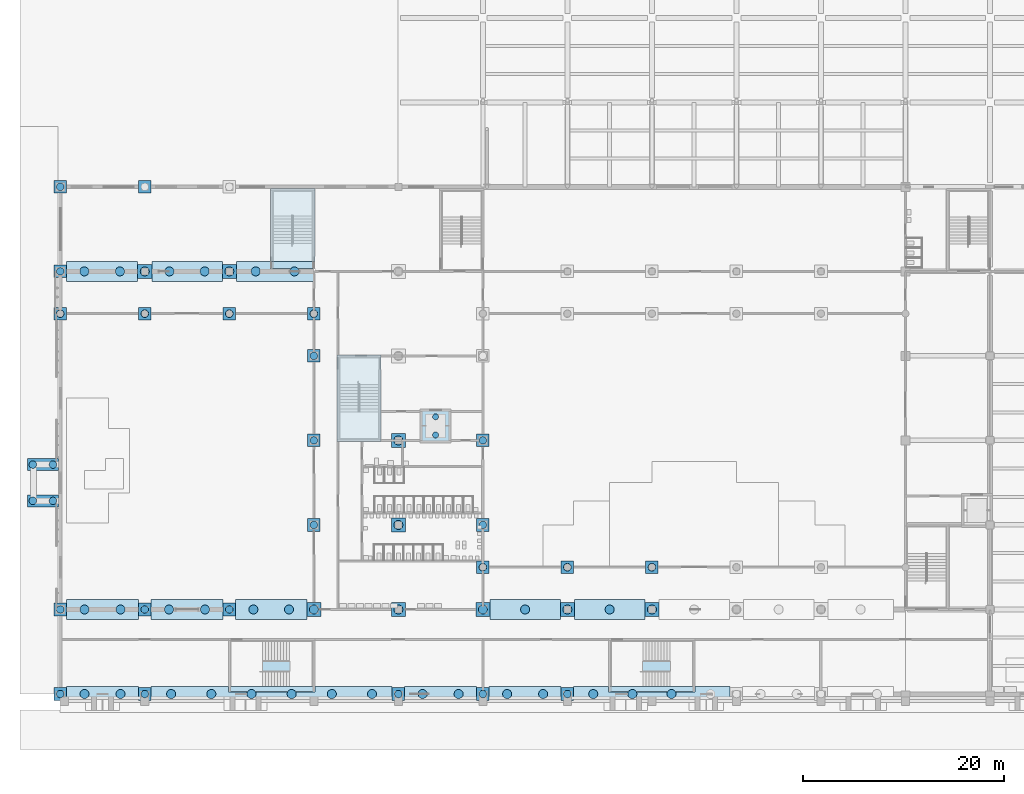
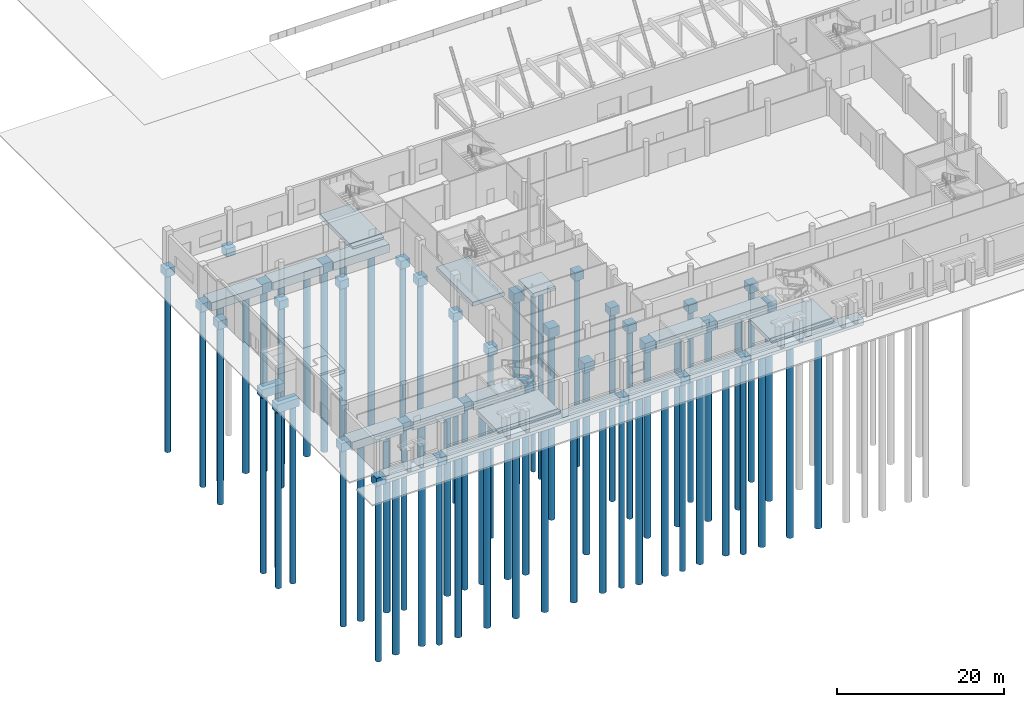
# One storey, part 1 of 74: 66 piles, 55 footings.
"""IFC4 building model written with IfcOpenShell, lengths in metres."""

import ifcopenshell
import ifcopenshell.guid

model = None  # the IFC model being written
_history = None  # IfcOwnerHistory: only IFC2X3 demands one
_inside = {}  # id of a spatial element -> (the spatial element, [elements in it])
_under = {}  # id of a project, library or spatial element -> (it, [spatial elements below it])
_declared = {}  # id of a project -> (the project, [libraries it declares])
_typed = {}  # id of a type object -> (the type object, [elements of that type])
_made_of = {}  # id of a material, layer set ... -> (it, [elements and type objects made of it])


def new_model(schema):
    """Start an empty IFC model of exactly this schema.

    Asked for "IFC4X3", IfcOpenShell would pick the latest addendum, in which some entities
    have other attributes; the version numbers below select the first issue.
    IFC2X3 requires an IfcOwnerHistory on every rooted entity: one is made here for all.
    """
    global model, _history
    if schema == "IFC4X3":
        model = ifcopenshell.file(schema_version=(4, 3, 0, 0))
    else:
        model = ifcopenshell.file(schema=schema)
    _inside.clear()
    _under.clear()
    _declared.clear()
    _typed.clear()
    _made_of.clear()
    _history = None
    if model.schema == "IFC2X3":
        org = make("IfcOrganization", Name="unknown")
        user = make(
            "IfcPersonAndOrganization",
            ThePerson=make("IfcPerson", FamilyName="unknown"),
            TheOrganization=org,
        )
        app = make(
            "IfcApplication",
            ApplicationDeveloper=org,
            Version="unknown",
            ApplicationFullName="unknown",
            ApplicationIdentifier="unknown",
        )
        _history = make(
            "IfcOwnerHistory",
            OwningUser=user,
            OwningApplication=app,
            ChangeAction="ADDED",
            CreationDate=0,
        )
    return model


def make(cls, **values):
    """One entity of the class cls with the attributes given. An attribute that is None is left unset."""
    return model.create_entity(
        cls, **{name: value for name, value in values.items() if value is not None}
    )


def rooted(cls, **values):
    """An entity with a GlobalId (a new one), such as an element, a storey or a relation."""
    return make(cls, GlobalId=ifcopenshell.guid.new(), OwnerHistory=_history, **values)


def si_unit(unit_type, name, prefix=None):
    """IfcSIUnit, for example si_unit("LENGTHUNIT", "METRE", prefix="MILLI")."""
    return make("IfcSIUnit", UnitType=unit_type, Prefix=prefix, Name=name)


def assignment(units):
    """IfcUnitAssignment: the units of a project."""
    return None if units is None else make("IfcUnitAssignment", Units=units)


def point(xyz):
    """IfcCartesianPoint."""
    return None if xyz is None else make("IfcCartesianPoint", Coordinates=xyz)


def direction(xyz):
    """IfcDirection."""
    return None if xyz is None else make("IfcDirection", DirectionRatios=xyz)


def frame(location, z_axis=None, x_axis=None):
    """IfcAxis2Placement3D, a coordinate frame: its origin and axes. An axis left out is left unset."""
    return make(
        "IfcAxis2Placement3D",
        Location=point(location),
        Axis=direction(z_axis),
        RefDirection=direction(x_axis),
    )


def frame_2d(location, x_axis=None):
    """IfcAxis2Placement2D, a coordinate frame in the plane: its origin and x axis."""
    return make(
        "IfcAxis2Placement2D", Location=point(location), RefDirection=direction(x_axis)
    )


def origin():
    """The frame at (0, 0, 0) with its axes left unset."""
    return frame((0.0, 0.0, 0.0))


def origin_2d():
    """The frame at (0, 0) in the plane with its x axis left unset."""
    return frame_2d((0.0, 0.0))


def place(relative_to, where):
    """IfcLocalPlacement: puts the frame where relative to a parent placement (None: the world)."""
    return make(
        "IfcLocalPlacement", PlacementRelTo=relative_to, RelativePlacement=where
    )


def context(
    kind, dimensions, precision=None, world=None, true_north=None, identifier=None
):
    """IfcGeometricRepresentationContext, for example the 3D "Model" context."""
    return make(
        "IfcGeometricRepresentationContext",
        ContextIdentifier=identifier,
        ContextType=kind,
        CoordinateSpaceDimension=dimensions,
        Precision=precision,
        WorldCoordinateSystem=world,
        TrueNorth=true_north,
    )


def subcontext(parent, identifier, kind, view, scale=None):
    """IfcGeometricRepresentationSubContext, for example "Body" below "Model"."""
    return make(
        "IfcGeometricRepresentationSubContext",
        ContextIdentifier=identifier,
        ContextType=kind,
        ParentContext=parent,
        TargetScale=scale,
        TargetView=view,
    )


def project(units=None, contexts=None):
    """IfcProject with its units and contexts."""
    return rooted(
        "IfcProject",
        Name="project",
        RepresentationContexts=contexts,
        UnitsInContext=assignment(units),
    )


def spatial(cls, under=None, at=None, **own):
    """A site, building, storey or space (cls), placed at a placement, below another one or the project."""
    s = rooted(cls, ObjectPlacement=at, **own)
    if under is not None:
        _under.setdefault(under.id(), (under, []))[1].append(s)
    return s


def polyline(points):
    """IfcPolyline through the points."""
    return make("IfcPolyline", Points=[point(p) for p in points])


def profile(cls, at=None, kind="AREA", **sizes):
    """A parametric profile (cls). Its sizes go by their IFC names, for example OverallWidth=200.0."""
    return make(cls, ProfileType=kind, Position=at, **sizes)


def rectangle(**sizes):
    """IfcRectangleProfileDef."""
    return profile("IfcRectangleProfileDef", **sizes)


def circle(**sizes):
    """IfcCircleProfileDef."""
    return profile("IfcCircleProfileDef", **sizes)


def outline(outer, holes=None, kind="AREA"):
    """IfcArbitraryClosedProfileDef: a profile drawn as a closed curve; with holes, ...WithVoids."""
    if holes is None:
        return make("IfcArbitraryClosedProfileDef", ProfileType=kind, OuterCurve=outer)
    return make(
        "IfcArbitraryProfileDefWithVoids",
        ProfileType=kind,
        OuterCurve=outer,
        InnerCurves=holes,
    )


def extrude(swept, where, along, depth):
    """IfcExtrudedAreaSolid: the profile swept, set in the frame where, extruded along a direction by depth."""
    return make(
        "IfcExtrudedAreaSolid",
        SweptArea=swept,
        Position=where,
        ExtrudedDirection=direction(along),
        Depth=depth,
    )


def shape(context_of_items, identifier, shape_type, items):
    """IfcShapeRepresentation: the items that make up one representation, for example the "Body"."""
    return make(
        "IfcShapeRepresentation",
        ContextOfItems=context_of_items,
        RepresentationIdentifier=identifier,
        RepresentationType=shape_type,
        Items=items,
    )


def material(Name=None, Category=None):
    """IfcMaterial."""
    return make("IfcMaterial", Name=Name, Category=Category)


def layer(
    of_material, thickness, ventilated=None, Name=None, Category=None, Priority=None
):
    """IfcMaterialLayer: one layer of a wall or slab, of a material (None: an air gap)."""
    return make(
        "IfcMaterialLayer",
        Material=of_material,
        LayerThickness=thickness,
        IsVentilated=ventilated,
        Name=Name,
        Category=Category,
        Priority=Priority,
    )


def layer_set(layers, Name=None):
    """IfcMaterialLayerSet."""
    return make("IfcMaterialLayerSet", MaterialLayers=layers, LayerSetName=Name)


def material_profile(
    of_material, cross_section, Name=None, Category=None, Priority=None
):
    """IfcMaterialProfile: a cross section and its material."""
    return make(
        "IfcMaterialProfile",
        Name=Name,
        Material=of_material,
        Profile=cross_section,
        Priority=Priority,
        Category=Category,
    )


def profile_set(profiles, Name=None, composite=None):
    """IfcMaterialProfileSet."""
    return make(
        "IfcMaterialProfileSet",
        Name=Name,
        MaterialProfiles=profiles,
        CompositeProfile=composite,
    )


def made_of(thing, what):
    """Note that an element or type object is made of a material, layer set ...; save() writes the relation."""
    if what is not None:
        _made_of.setdefault(what.id(), (what, []))[1].append(thing)
    return thing


def type_object(cls, material=None, **own):
    """A type object (cls), such as IfcWallType, which elements share."""
    return made_of(rooted(cls, **own), material)


def element(
    cls,
    number,
    at=None,
    inside=None,
    cuts=None,
    type_object=None,
    material=None,
    context=None,
    identifier="Body",
    shape_type=None,
    held_by="IfcProductDefinitionShape",
    body=None,
    shapes=None,
    **own,
):
    """One element of the class cls, such as IfcWall. Its Tag is "e" and its number.

    at: its placement. inside: the storey or other place that contains it. cuts: it is an
    opening in that element (IfcRelVoidsElement). A single representation is given by context,
    identifier, shape_type and body (its items); several are given by shapes. held_by: the class
    of the entity that holds the representations. save() writes the other relations.
    """
    e = rooted(cls, Tag="e%d" % number, ObjectPlacement=at, **own)
    if body is not None:
        shapes = [shape(context, identifier, shape_type, body)]
    if shapes is not None:
        e.Representation = make(held_by, Representations=shapes)
    if inside is not None:
        _inside.setdefault(inside.id(), (inside, []))[1].append(e)
    if cuts is not None:
        rooted(
            "IfcRelVoidsElement", RelatingBuildingElement=cuts, RelatedOpeningElement=e
        )
    if type_object is not None:
        _typed.setdefault(type_object.id(), (type_object, []))[1].append(e)
    return made_of(e, material)


def aggregate(whole, parts):
    """IfcRelAggregates: a whole, such as a stair, and the parts it consists of."""
    return rooted("IfcRelAggregates", RelatingObject=whole, RelatedObjects=parts)


def save(model, path):
    """Write the relations noted so far, then the file.

    IfcRelAggregates (storeys below a building ...), IfcRelContainedInSpatialStructure (elements
    in a storey), IfcRelDefinesByType, IfcRelAssociatesMaterial and IfcRelDeclares: one each for
    every whole, place, type object, material and project.
    """
    for whole, parts in _under.values():
        aggregate(whole, parts)
    for where, things in _inside.values():
        rooted(
            "IfcRelContainedInSpatialStructure",
            RelatedElements=things,
            RelatingStructure=where,
        )
    for kind, things in _typed.values():
        rooted("IfcRelDefinesByType", RelatedObjects=things, RelatingType=kind)
    for what, things in _made_of.values():
        rooted("IfcRelAssociatesMaterial", RelatedObjects=things, RelatingMaterial=what)
    for by, libraries in _declared.values():
        rooted("IfcRelDeclares", RelatingContext=by, RelatedDefinitions=libraries)
    model.write(path)


model = new_model("IFC4")

# Units and contexts
model_context = context("Model", 3, precision=1e-05, world=origin(), true_north=direction((0.0, 1.0)))
body_context = subcontext(model_context, "Body", "Model", "MODEL_VIEW")
ifc_project = project(units=[si_unit("LENGTHUNIT", "METRE"), si_unit("AREAUNIT", "SQUARE_METRE"), si_unit("VOLUMEUNIT", "CUBIC_METRE"), si_unit("PLANEANGLEUNIT", "RADIAN"), si_unit("MASSUNIT", "GRAM", prefix="KILO")], contexts=[model_context])

# Site, building, storey
site_placement = place(None, origin())
site = spatial("IfcSite", under=ifc_project, at=site_placement, CompositionType="ELEMENT")
building_placement = place(site_placement, origin())
building = spatial("IfcBuilding", under=site, at=building_placement, Name="Rulbaag Community and Learning Centre", CompositionType="ELEMENT")
storey_placement = place(building_placement, origin())
storey = spatial("IfcBuildingStorey", under=building, at=storey_placement, Name="L00", CompositionType="ELEMENT", Elevation=0.0)

# Footings
ifc_material = material(Name="Concrete M35", Category="concrete")
footing_type_1 = type_object("IfcFootingType", Name="GB1 Ground beam 1500 x 1000 Concrete M35", PredefinedType="FOOTING_BEAM", material=ifc_material)
footing_1_placement = place(storey_placement, frame((4.199951171875, 0.0, -1.300048828125), z_axis=(0.0, 0.0, 1.0), x_axis=(1.0, 0.0, 0.0)))
element("IfcFooting", 1, at=footing_1_placement, inside=storey, type_object=footing_type_1, Name="FT-GB-RAIL-1", PredefinedType="FOOTING_BEAM", context=body_context, shape_type="SweptSolid", body=[
    extrude(rectangle(XDim=7.14990234375, YDim=1.5, at=origin_2d()), origin(), (0.0, 0.0, 1.0), 1.0),
])
footing_2_placement = place(storey_placement, frame((21.0, 0.0, -1.300048828125), z_axis=(0.0, 0.0, 1.0), x_axis=(1.0, 0.0, 0.0)))
element("IfcFooting", 2, at=footing_2_placement, inside=storey, type_object=footing_type_1, Name="FT-GB-RAIL-2", PredefinedType="FOOTING_BEAM", context=body_context, shape_type="SweptSolid", body=[
    extrude(rectangle(XDim=23.949951171875, YDim=1.5, at=origin_2d()), origin(), (0.0, 0.0, 1.0), 1.0),
])
for number, where, z_axis, x_axis, name in (
    (3, (37.800048828125, 0.0, -1.300048828125), (0.0, 0.0, 1.0), (1.0, 0.0, 0.0), "FT-GB-RAIL-3"),
    (4, (46.199951171875, 0.0, -1.300048828125), (0.0, 0.0, 1.0), (1.0, 0.0, 0.0), "FT-GB-RAIL-4"),
):
    element("IfcFooting", number, at=place(storey_placement, frame(where, z_axis=z_axis, x_axis=x_axis)), inside=storey, type_object=footing_type_1, Name=name, PredefinedType="FOOTING_BEAM", context=body_context, shape_type="SweptSolid", body=[
        extrude(rectangle(XDim=7.14990234375, YDim=1.5, at=origin_2d()), origin(), (0.0, 0.0, 1.0), 1.0),
    ])
footing_3_placement = place(storey_placement, frame((58.800048828125, 0.0, -1.300048828125), z_axis=(0.0, 0.0, 1.0), x_axis=(1.0, 0.0, 0.0)))
element("IfcFooting", 5, at=footing_3_placement, inside=storey, type_object=footing_type_1, Name="FT-GB-RAIL-5", PredefinedType="FOOTING_BEAM", context=body_context, shape_type="SweptSolid", body=[
    extrude(rectangle(XDim=15.550048828125, YDim=1.5, at=origin_2d()), origin(), (0.0, 0.0, 1.0), 1.0),
])
footing_type_2 = type_object("IfcFootingType", Name="GB2 Ground beam 2000 x 1200 Concrete M35", PredefinedType="FOOTING_BEAM", material=ifc_material)
for number, where, z_axis, x_axis, name in (
    (6, (46.199951171875, 8.39990234375, -1.5), (0.0, 0.0, 1.0), (1.0, 0.0, 0.0), "FT-GB-XMS-1"),
    (7, (54.60009765625, 8.39990234375, -1.5), (0.0, 0.0, 1.0), (1.0, 0.0, 0.0), "FT-GB-XMS-2"),
):
    element("IfcFooting", number, at=place(storey_placement, frame(where, z_axis=z_axis, x_axis=x_axis)), inside=storey, type_object=footing_type_2, Name=name, PredefinedType="FOOTING_BEAM", context=body_context, shape_type="SweptSolid", body=[
        extrude(rectangle(XDim=7.0, YDim=2.0, at=origin_2d()), origin(), (0.0, 0.0, 1.0), 1.199951171875),
    ])
for number, where, z_axis, x_axis, name in (
    (8, (4.199951171875, 8.39990234375, -1.5), (0.0, 0.0, 1.0), (1.0, 0.0, 0.0), "FT-GB-XPS-1"),
    (9, (12.60009765625, 8.39990234375, -1.5), (0.0, 0.0, 1.0), (1.0, 0.0, 0.0), "FT-GB-XPS-2"),
):
    element("IfcFooting", number, at=place(storey_placement, frame(where, z_axis=z_axis, x_axis=x_axis)), inside=storey, type_object=footing_type_2, Name=name, PredefinedType="FOOTING_BEAM", context=body_context, shape_type="SweptSolid", body=[
        extrude(rectangle(XDim=7.14990234375, YDim=2.0, at=origin_2d()), origin(), (0.0, 0.0, 1.0), 1.199951171875),
    ])
for number, where, z_axis, x_axis, name in (
    (10, (20.96240234375, 8.39990234375, -1.5), (0.0, 0.0, 1.0), (1.0, 0.0, 0.0), "FT-GB-XPS-3"),
    (11, (4.16259765625, 42.0, -1.5), (0.0, 0.0, 1.0), (1.0, 0.0, 0.0), "FT-GB-XPN-1"),
):
    element("IfcFooting", number, at=place(storey_placement, frame(where, z_axis=z_axis, x_axis=x_axis)), inside=storey, type_object=footing_type_2, Name=name, PredefinedType="FOOTING_BEAM", context=body_context, shape_type="SweptSolid", body=[
        extrude(rectangle(XDim=7.074951171875, YDim=2.0, at=origin_2d()), origin(), (0.0, 0.0, 1.0), 1.199951171875),
    ])
footing_4_placement = place(storey_placement, frame((12.60009765625, 42.0, -1.5), z_axis=(0.0, 0.0, 1.0), x_axis=(1.0, 0.0, 0.0)))
element("IfcFooting", 12, at=footing_4_placement, inside=storey, type_object=footing_type_2, Name="FT-GB-XPN-2", PredefinedType="FOOTING_BEAM", context=body_context, shape_type="SweptSolid", body=[
    extrude(rectangle(XDim=7.0, YDim=2.0, at=origin_2d()), origin(), (0.0, 0.0, 1.0), 1.199951171875),
])
footing_5_placement = place(storey_placement, frame((21.35009765625, 42.0, -1.5), z_axis=(0.0, 0.0, 1.0), x_axis=(1.0, 0.0, 0.0)))
element("IfcFooting", 13, at=footing_5_placement, inside=storey, type_object=footing_type_2, Name="FT-GB-XPN-3", PredefinedType="FOOTING_BEAM", context=body_context, shape_type="SweptSolid", body=[
    extrude(rectangle(XDim=7.699951171875, YDim=2.0, at=origin_2d()), origin(), (0.0, 0.0, 1.0), 1.199951171875),
])
footing_type_3 = type_object("IfcFootingType", Name="GB3 Portal ground beam 1200 x 1200 Concrete M35", PredefinedType="FOOTING_BEAM", material=ifc_material)
for number, where, z_axis, x_axis, name in (
    (14, (-1.72509765625, 19.199951171875, -1.5), (0.0, 0.0, 1.0), (1.0, 0.0, 0.0), "PT-FT-W"),
    (15, (-1.72509765625, 22.800048828125, -1.5), (0.0, 0.0, 1.0), (1.0, 0.0, 0.0), "PT-FT-E"),
):
    element("IfcFooting", number, at=place(storey_placement, frame(where, z_axis=z_axis, x_axis=x_axis)), inside=storey, type_object=footing_type_3, Name=name, PredefinedType="FOOTING_BEAM", context=body_context, shape_type="SweptSolid", body=[
        extrude(rectangle(XDim=3.10009765625, YDim=1.199951171875, at=origin_2d()), origin(), (0.0, 0.0, 1.0), 1.199951171875),
    ])

# Piles
ifc_material_profile_1 = material_profile(ifc_material, circle(Radius=0.375, at=origin_2d()), Name="BP750")
ifc_profile_set_1 = profile_set([ifc_material_profile_1], Name="Concrete M35")
pile_type_1 = type_object("IfcPileType", Name="P1 Bored pile 750 mm Concrete M35", PredefinedType="BORED", material=ifc_profile_set_1)
for number, where, z_axis, x_axis, name in (
    (16, (0.0, 0.0, -1.39990234375), (0.0, 0.0, -1.0), (1.0, 0.0, 0.0), "PL-1A-1"),
    (17, (0.0, 8.39990234375, -1.39990234375), (0.0, 0.0, -1.0), (1.0, 0.0, 0.0), "PL-1B-1"),
    (18, (0.0, 42.0, -1.39990234375), (0.0, 0.0, -1.0), (1.0, 0.0, 0.0), "PL-1F-1"),
    (19, (0.0, 50.39990234375, -1.39990234375), (0.0, 0.0, -1.0), (1.0, 0.0, 0.0), "PL-1G-1"),
):
    element("IfcPile", number, at=place(storey_placement, frame(where, z_axis=z_axis, x_axis=x_axis)), inside=storey, type_object=pile_type_1, Name=name, PredefinedType="BORED", context=body_context, shape_type="SweptSolid", body=[
        extrude(circle(Radius=0.375, at=origin_2d()), origin(), (0.0, 0.0, 1.0), 26.0),
    ])
for number, where, z_axis, x_axis, name in (
    (20, (8.39990234375, 0.0, -1.39990234375), (0.0, 0.0, -1.0), (1.0, 0.0, 0.0), "PL-2A-1"),
    (21, (8.39990234375, 8.39990234375, -1.39990234375), (0.0, 0.0, -1.0), (1.0, 0.0, 0.0), "PL-2B-1"),
    (22, (16.800048828125, 8.39990234375, -1.39990234375), (0.0, 0.0, -1.0), (1.0, 0.0, 0.0), "PL-3B-1"),
):
    element("IfcPile", number, at=place(storey_placement, frame(where, z_axis=z_axis, x_axis=x_axis)), inside=storey, type_object=pile_type_1, Name=name, PredefinedType="BORED", context=body_context, shape_type="SweptSolid", body=[
        extrude(circle(Radius=0.375, at=origin_2d()), origin(), (0.0, 0.0, 1.0), 26.5),
    ])
for number, where, z_axis, x_axis, name in (
    (23, (25.199951171875, 16.800048828125, -1.39990234375), (0.0, 0.0, -1.0), (1.0, 0.0, 0.0), "PL-4C-1"),
    (24, (25.199951171875, 25.199951171875, -1.39990234375), (0.0, 0.0, -1.0), (1.0, 0.0, 0.0), "PL-4D-1"),
    (25, (25.199951171875, 33.60009765625, -1.39990234375), (0.0, 0.0, -1.0), (1.0, 0.0, 0.0), "PL-4E-1"),
    (26, (33.60009765625, 0.0, -1.39990234375), (0.0, 0.0, -1.0), (1.0, 0.0, 0.0), "PL-5A-1"),
):
    element("IfcPile", number, at=place(storey_placement, frame(where, z_axis=z_axis, x_axis=x_axis)), inside=storey, type_object=pile_type_1, Name=name, PredefinedType="BORED", context=body_context, shape_type="SweptSolid", body=[
        extrude(circle(Radius=0.375, at=origin_2d()), origin(), (0.0, 0.0, 1.0), 27.0),
    ])
for number, where, z_axis, x_axis, name in (
    (27, (42.0, 0.0, -1.39990234375), (0.0, 0.0, -1.0), (1.0, 0.0, 0.0), "PL-6A-1"),
    (28, (42.0, 16.800048828125, -1.39990234375), (0.0, 0.0, -1.0), (1.0, 0.0, 0.0), "PL-6C-1"),
    (29, (42.0, 25.199951171875, -1.39990234375), (0.0, 0.0, -1.0), (1.0, 0.0, 0.0), "PL-6D-1"),
):
    element("IfcPile", number, at=place(storey_placement, frame(where, z_axis=z_axis, x_axis=x_axis)), inside=storey, type_object=pile_type_1, Name=name, PredefinedType="BORED", context=body_context, shape_type="SweptSolid", body=[
        extrude(circle(Radius=0.375, at=origin_2d()), origin(), (0.0, 0.0, 1.0), 27.5),
    ])
pile_1_placement = place(storey_placement, frame((50.39990234375, 0.0, -1.39990234375), z_axis=(0.0, 0.0, -1.0), x_axis=(1.0, 0.0, 0.0)))
element("IfcPile", 30, at=pile_1_placement, inside=storey, type_object=pile_type_1, Name="PL-7A-1", PredefinedType="BORED", context=body_context, shape_type="SweptSolid", body=[
    extrude(circle(Radius=0.375, at=origin_2d()), origin(), (0.0, 0.0, 1.0), 28.0),
])
pile_2_placement = place(storey_placement, frame((42.0, 12.60009765625, -1.39990234375), z_axis=(0.0, 0.0, -1.0), x_axis=(1.0, 0.0, 0.0)))
element("IfcPile", 31, at=pile_2_placement, inside=storey, type_object=pile_type_1, Name="PL-G42x12.6-1", PredefinedType="BORED", context=body_context, shape_type="SweptSolid", body=[
    extrude(circle(Radius=0.375, at=origin_2d()), origin(), (0.0, 0.0, 1.0), 27.5),
])
for number, where, z_axis, x_axis, name in (
    (32, (50.39990234375, 12.60009765625, -1.39990234375), (0.0, 0.0, -1.0), (1.0, 0.0, 0.0), "PL-G50x12.6-1"),
    (33, (58.800048828125, 12.60009765625, -1.39990234375), (0.0, 0.0, -1.0), (1.0, 0.0, 0.0), "PL-G59x12.6-1"),
):
    element("IfcPile", number, at=place(storey_placement, frame(where, z_axis=z_axis, x_axis=x_axis)), inside=storey, type_object=pile_type_1, Name=name, PredefinedType="BORED", context=body_context, shape_type="SweptSolid", body=[
        extrude(circle(Radius=0.375, at=origin_2d()), origin(), (0.0, 0.0, 1.0), 28.0),
    ])
pile_3_placement = place(storey_placement, frame((0.0, 37.800048828125, -1.39990234375), z_axis=(0.0, 0.0, -1.0), x_axis=(1.0, 0.0, 0.0)))
element("IfcPile", 34, at=pile_3_placement, inside=storey, type_object=pile_type_1, Name="PL-G0x37.8-1", PredefinedType="BORED", context=body_context, shape_type="SweptSolid", body=[
    extrude(circle(Radius=0.375, at=origin_2d()), origin(), (0.0, 0.0, 1.0), 26.0),
])
for number, where, z_axis, x_axis, name in (
    (35, (8.39990234375, 37.800048828125, -1.39990234375), (0.0, 0.0, -1.0), (1.0, 0.0, 0.0), "PL-G8x37.8-1"),
    (36, (16.800048828125, 37.800048828125, -1.39990234375), (0.0, 0.0, -1.0), (1.0, 0.0, 0.0), "PL-G17x37.8-1"),
):
    element("IfcPile", number, at=place(storey_placement, frame(where, z_axis=z_axis, x_axis=x_axis)), inside=storey, type_object=pile_type_1, Name=name, PredefinedType="BORED", context=body_context, shape_type="SweptSolid", body=[
        extrude(circle(Radius=0.375, at=origin_2d()), origin(), (0.0, 0.0, 1.0), 26.5),
    ])
pile_4_placement = place(storey_placement, frame((25.199951171875, 37.800048828125, -1.39990234375), z_axis=(0.0, 0.0, -1.0), x_axis=(1.0, 0.0, 0.0)))
element("IfcPile", 37, at=pile_4_placement, inside=storey, type_object=pile_type_1, Name="PL-G25x37.8-1", PredefinedType="BORED", context=body_context, shape_type="SweptSolid", body=[
    extrude(circle(Radius=0.375, at=origin_2d()), origin(), (0.0, 0.0, 1.0), 27.0),
])
for number, where, z_axis, x_axis, name in (
    (38, (-2.72509765625, 19.199951171875, -1.39990234375), (0.0, 0.0, -1.0), (1.0, 0.0, 0.0), "PT-PL-W-1"),
    (39, (-0.72509765625, 19.199951171875, -1.39990234375), (0.0, 0.0, -1.0), (1.0, 0.0, 0.0), "PT-PL-W-2"),
    (40, (-2.72509765625, 22.800048828125, -1.39990234375), (0.0, 0.0, -1.0), (1.0, 0.0, 0.0), "PT-PL-E-1"),
    (41, (-0.72509765625, 22.800048828125, -1.39990234375), (0.0, 0.0, -1.0), (1.0, 0.0, 0.0), "PT-PL-E-2"),
):
    element("IfcPile", number, at=place(storey_placement, frame(where, z_axis=z_axis, x_axis=x_axis)), inside=storey, type_object=pile_type_1, Name=name, PredefinedType="BORED", context=body_context, shape_type="SweptSolid", body=[
        extrude(circle(Radius=0.375, at=origin_2d()), origin(), (0.0, 0.0, 1.0), 26.0),
    ])
ifc_material_profile_2 = material_profile(ifc_material, circle(Radius=0.449951171875, at=origin_2d()), Name="BP900")
ifc_profile_set_2 = profile_set([ifc_material_profile_2], Name="Concrete M35")
pile_type_2 = type_object("IfcPileType", Name="P2 Bored pile 900 mm Concrete M35", PredefinedType="BORED", material=ifc_profile_set_2)
for number, where, z_axis, x_axis, name in (
    (42, (8.39990234375, 42.0, -1.60009765625), (0.0, 0.0, -1.0), (1.0, 0.0, 0.0), "PL-2F-1"),
    (43, (16.800048828125, 42.0, -1.60009765625), (0.0, 0.0, -1.0), (1.0, 0.0, 0.0), "PL-3F-1"),
):
    element("IfcPile", number, at=place(storey_placement, frame(where, z_axis=z_axis, x_axis=x_axis)), inside=storey, type_object=pile_type_2, Name=name, PredefinedType="BORED", context=body_context, shape_type="SweptSolid", body=[
        extrude(circle(Radius=0.449951171875, at=origin_2d()), origin(), (0.0, 0.0, 1.0), 26.5),
    ])
for number, where, z_axis, x_axis, name in (
    (44, (25.199951171875, 8.39990234375, -1.60009765625), (0.0, 0.0, -1.0), (1.0, 0.0, 0.0), "PL-4B-1"),
    (45, (33.60009765625, 8.39990234375, -1.60009765625), (0.0, 0.0, -1.0), (1.0, 0.0, 0.0), "PL-5B-1"),
    (46, (33.60009765625, 16.800048828125, -1.60009765625), (0.0, 0.0, -1.0), (1.0, 0.0, 0.0), "PL-5C-1"),
    (47, (33.60009765625, 25.199951171875, -1.60009765625), (0.0, 0.0, -1.0), (1.0, 0.0, 0.0), "PL-5D-1"),
):
    element("IfcPile", number, at=place(storey_placement, frame(where, z_axis=z_axis, x_axis=x_axis)), inside=storey, type_object=pile_type_2, Name=name, PredefinedType="BORED", context=body_context, shape_type="SweptSolid", body=[
        extrude(circle(Radius=0.449951171875, at=origin_2d()), origin(), (0.0, 0.0, 1.0), 27.0),
    ])
pile_5_placement = place(storey_placement, frame((42.0, 8.39990234375, -1.60009765625), z_axis=(0.0, 0.0, -1.0), x_axis=(1.0, 0.0, 0.0)))
element("IfcPile", 48, at=pile_5_placement, inside=storey, type_object=pile_type_2, Name="PL-6B-1", PredefinedType="BORED", context=body_context, shape_type="SweptSolid", body=[
    extrude(circle(Radius=0.449951171875, at=origin_2d()), origin(), (0.0, 0.0, 1.0), 27.5),
])
for number, where, z_axis, x_axis, name in (
    (49, (50.39990234375, 8.39990234375, -1.60009765625), (0.0, 0.0, -1.0), (1.0, 0.0, 0.0), "PL-7B-1"),
    (50, (58.800048828125, 8.39990234375, -1.60009765625), (0.0, 0.0, -1.0), (1.0, 0.0, 0.0), "PL-8B-1"),
):
    element("IfcPile", number, at=place(storey_placement, frame(where, z_axis=z_axis, x_axis=x_axis)), inside=storey, type_object=pile_type_2, Name=name, PredefinedType="BORED", context=body_context, shape_type="SweptSolid", body=[
        extrude(circle(Radius=0.449951171875, at=origin_2d()), origin(), (0.0, 0.0, 1.0), 28.0),
    ])
for number, where, z_axis, x_axis, name in (
    (51, (2.41259765625, 0.0, -1.199951171875), (0.0, 0.0, -1.0), (1.0, 0.0, 0.0), "PL-GB-RAIL-1-1"),
    (52, (5.987548828125, 0.0, -1.199951171875), (0.0, 0.0, -1.0), (1.0, 0.0, 0.0), "PL-GB-RAIL-1-2"),
):
    element("IfcPile", number, at=place(storey_placement, frame(where, z_axis=z_axis, x_axis=x_axis)), inside=storey, type_object=pile_type_2, Name=name, PredefinedType="BORED", context=body_context, shape_type="SweptSolid", body=[
        extrude(circle(Radius=0.449951171875, at=origin_2d()), origin(), (0.0, 0.0, 1.0), 26.0),
    ])
for number, where, z_axis, x_axis, name in (
    (53, (11.020751953125, 0.0, -1.199951171875), (0.0, 0.0, -1.0), (1.0, 0.0, 0.0), "PL-GB-RAIL-2-1"),
    (54, (15.012451171875, 0.0, -1.199951171875), (0.0, 0.0, -1.0), (1.0, 0.0, 0.0), "PL-GB-RAIL-2-2"),
    (55, (19.004150390625, 0.0, -1.199951171875), (0.0, 0.0, -1.0), (1.0, 0.0, 0.0), "PL-GB-RAIL-2-3"),
):
    element("IfcPile", number, at=place(storey_placement, frame(where, z_axis=z_axis, x_axis=x_axis)), inside=storey, type_object=pile_type_2, Name=name, PredefinedType="BORED", context=body_context, shape_type="SweptSolid", body=[
        extrude(circle(Radius=0.449951171875, at=origin_2d()), origin(), (0.0, 0.0, 1.0), 26.5),
    ])
for number, where, z_axis, x_axis, name in (
    (56, (22.995849609375, 0.0, -1.199951171875), (0.0, 0.0, -1.0), (1.0, 0.0, 0.0), "PL-GB-RAIL-2-4"),
    (57, (26.987548828125, 0.0, -1.199951171875), (0.0, 0.0, -1.0), (1.0, 0.0, 0.0), "PL-GB-RAIL-2-5"),
    (58, (30.979248046875, 0.0, -1.199951171875), (0.0, 0.0, -1.0), (1.0, 0.0, 0.0), "PL-GB-RAIL-2-6"),
):
    element("IfcPile", number, at=place(storey_placement, frame(where, z_axis=z_axis, x_axis=x_axis)), inside=storey, type_object=pile_type_2, Name=name, PredefinedType="BORED", context=body_context, shape_type="SweptSolid", body=[
        extrude(circle(Radius=0.449951171875, at=origin_2d()), origin(), (0.0, 0.0, 1.0), 27.0),
    ])
for number, where, z_axis, x_axis, name in (
    (59, (36.012451171875, 0.0, -1.199951171875), (0.0, 0.0, -1.0), (1.0, 0.0, 0.0), "PL-GB-RAIL-3-1"),
    (60, (39.58740234375, 0.0, -1.199951171875), (0.0, 0.0, -1.0), (1.0, 0.0, 0.0), "PL-GB-RAIL-3-2"),
    (61, (44.41259765625, 0.0, -1.199951171875), (0.0, 0.0, -1.0), (1.0, 0.0, 0.0), "PL-GB-RAIL-4-1"),
    (62, (47.987548828125, 0.0, -1.199951171875), (0.0, 0.0, -1.0), (1.0, 0.0, 0.0), "PL-GB-RAIL-4-2"),
):
    element("IfcPile", number, at=place(storey_placement, frame(where, z_axis=z_axis, x_axis=x_axis)), inside=storey, type_object=pile_type_2, Name=name, PredefinedType="BORED", context=body_context, shape_type="SweptSolid", body=[
        extrude(circle(Radius=0.449951171875, at=origin_2d()), origin(), (0.0, 0.0, 1.0), 27.5),
    ])
for number, where, z_axis, x_axis, name in (
    (63, (52.96875, 0.0, -1.199951171875), (0.0, 0.0, -1.0), (1.0, 0.0, 0.0), "PL-GB-RAIL-5-1"),
    (64, (56.856201171875, 0.0, -1.199951171875), (0.0, 0.0, -1.0), (1.0, 0.0, 0.0), "PL-GB-RAIL-5-2"),
    (65, (60.743896484375, 0.0, -1.199951171875), (0.0, 0.0, -1.0), (1.0, 0.0, 0.0), "PL-GB-RAIL-5-3"),
):
    element("IfcPile", number, at=place(storey_placement, frame(where, z_axis=z_axis, x_axis=x_axis)), inside=storey, type_object=pile_type_2, Name=name, PredefinedType="BORED", context=body_context, shape_type="SweptSolid", body=[
        extrude(circle(Radius=0.449951171875, at=origin_2d()), origin(), (0.0, 0.0, 1.0), 28.0),
    ])
pile_6_placement = place(storey_placement, frame((46.199951171875, 8.39990234375, -1.39990234375), z_axis=(0.0, 0.0, -1.0), x_axis=(1.0, 0.0, 0.0)))
element("IfcPile", 66, at=pile_6_placement, inside=storey, type_object=pile_type_2, Name="PL-GB-XMS-1-2", PredefinedType="BORED", context=body_context, shape_type="SweptSolid", body=[
    extrude(circle(Radius=0.449951171875, at=origin_2d()), origin(), (0.0, 0.0, 1.0), 27.5),
])
pile_7_placement = place(storey_placement, frame((54.60009765625, 8.39990234375, -1.39990234375), z_axis=(0.0, 0.0, -1.0), x_axis=(1.0, 0.0, 0.0)))
element("IfcPile", 67, at=pile_7_placement, inside=storey, type_object=pile_type_2, Name="PL-GB-XMS-2-2", PredefinedType="BORED", context=body_context, shape_type="SweptSolid", body=[
    extrude(circle(Radius=0.449951171875, at=origin_2d()), origin(), (0.0, 0.0, 1.0), 28.0),
])
for number, where, z_axis, x_axis, name in (
    (68, (2.41259765625, 8.39990234375, -1.39990234375), (0.0, 0.0, -1.0), (1.0, 0.0, 0.0), "PL-GB-XPS-1-1"),
    (69, (5.987548828125, 8.39990234375, -1.39990234375), (0.0, 0.0, -1.0), (1.0, 0.0, 0.0), "PL-GB-XPS-1-2"),
):
    element("IfcPile", number, at=place(storey_placement, frame(where, z_axis=z_axis, x_axis=x_axis)), inside=storey, type_object=pile_type_2, Name=name, PredefinedType="BORED", context=body_context, shape_type="SweptSolid", body=[
        extrude(circle(Radius=0.449951171875, at=origin_2d()), origin(), (0.0, 0.0, 1.0), 26.0),
    ])
for number, where, z_axis, x_axis, name in (
    (70, (10.8125, 8.39990234375, -1.39990234375), (0.0, 0.0, -1.0), (1.0, 0.0, 0.0), "PL-GB-XPS-2-1"),
    (71, (14.387451171875, 8.39990234375, -1.39990234375), (0.0, 0.0, -1.0), (1.0, 0.0, 0.0), "PL-GB-XPS-2-2"),
    (72, (19.19384765625, 8.39990234375, -1.39990234375), (0.0, 0.0, -1.0), (1.0, 0.0, 0.0), "PL-GB-XPS-3-1"),
):
    element("IfcPile", number, at=place(storey_placement, frame(where, z_axis=z_axis, x_axis=x_axis)), inside=storey, type_object=pile_type_2, Name=name, PredefinedType="BORED", context=body_context, shape_type="SweptSolid", body=[
        extrude(circle(Radius=0.449951171875, at=origin_2d()), origin(), (0.0, 0.0, 1.0), 26.5),
    ])
pile_8_placement = place(storey_placement, frame((22.731201171875, 8.39990234375, -1.39990234375), z_axis=(0.0, 0.0, -1.0), x_axis=(1.0, 0.0, 0.0)))
element("IfcPile", 73, at=pile_8_placement, inside=storey, type_object=pile_type_2, Name="PL-GB-XPS-3-2", PredefinedType="BORED", context=body_context, shape_type="SweptSolid", body=[
    extrude(circle(Radius=0.449951171875, at=origin_2d()), origin(), (0.0, 0.0, 1.0), 27.0),
])
for number, where, z_axis, x_axis, name in (
    (74, (2.393798828125, 42.0, -1.39990234375), (0.0, 0.0, -1.0), (1.0, 0.0, 0.0), "PL-GB-XPN-1-1"),
    (75, (5.931396484375, 42.0, -1.39990234375), (0.0, 0.0, -1.0), (1.0, 0.0, 0.0), "PL-GB-XPN-1-2"),
):
    element("IfcPile", number, at=place(storey_placement, frame(where, z_axis=z_axis, x_axis=x_axis)), inside=storey, type_object=pile_type_2, Name=name, PredefinedType="BORED", context=body_context, shape_type="SweptSolid", body=[
        extrude(circle(Radius=0.449951171875, at=origin_2d()), origin(), (0.0, 0.0, 1.0), 26.0),
    ])
for number, where, z_axis, x_axis, name in (
    (76, (10.85009765625, 42.0, -1.39990234375), (0.0, 0.0, -1.0), (1.0, 0.0, 0.0), "PL-GB-XPN-2-1"),
    (77, (14.35009765625, 42.0, -1.39990234375), (0.0, 0.0, -1.0), (1.0, 0.0, 0.0), "PL-GB-XPN-2-2"),
    (78, (19.425048828125, 42.0, -1.39990234375), (0.0, 0.0, -1.0), (1.0, 0.0, 0.0), "PL-GB-XPN-3-1"),
):
    element("IfcPile", number, at=place(storey_placement, frame(where, z_axis=z_axis, x_axis=x_axis)), inside=storey, type_object=pile_type_2, Name=name, PredefinedType="BORED", context=body_context, shape_type="SweptSolid", body=[
        extrude(circle(Radius=0.449951171875, at=origin_2d()), origin(), (0.0, 0.0, 1.0), 26.5),
    ])
pile_9_placement = place(storey_placement, frame((23.27490234375, 42.0, -1.39990234375), z_axis=(0.0, 0.0, -1.0), x_axis=(1.0, 0.0, 0.0)))
element("IfcPile", 79, at=pile_9_placement, inside=storey, type_object=pile_type_2, Name="PL-GB-XPN-3-2", PredefinedType="BORED", context=body_context, shape_type="SweptSolid", body=[
    extrude(circle(Radius=0.449951171875, at=origin_2d()), origin(), (0.0, 0.0, 1.0), 27.0),
])
ifc_material_profile_3 = material_profile(ifc_material, circle(Radius=0.300048828125, at=origin_2d()), Name="BP600")
ifc_profile_set_3 = profile_set([ifc_material_profile_3], Name="Concrete M35")
pile_type_3 = type_object("IfcPileType", Name="P5 Bored pile 600 mm Concrete M35", PredefinedType="BORED", material=ifc_profile_set_3)
for number, where, z_axis, x_axis, name in (
    (80, (37.300048828125, 25.75, -2.0), (0.0, 0.0, -1.0), (1.0, 0.0, 0.0), "PL-PIT-LH1-1"),
    (81, (37.300048828125, 27.550048828125, -2.0), (0.0, 0.0, -1.0), (1.0, 0.0, 0.0), "PL-PIT-LH1-2"),
):
    element("IfcPile", number, at=place(storey_placement, frame(where, z_axis=z_axis, x_axis=x_axis)), inside=storey, type_object=pile_type_3, Name=name, PredefinedType="BORED", context=body_context, shape_type="SweptSolid", body=[
        extrude(circle(Radius=0.300048828125, at=origin_2d()), origin(), (0.0, 0.0, 1.0), 27.5),
    ])

# Footings
footing_type_4 = type_object("IfcFootingType", Name="PC1 Pile cap 1 pile 1250 x 1250 x 1200 Concrete M35", PredefinedType="PILE_CAP", material=ifc_material)
for number, where, z_axis, x_axis, name in (
    (82, (0.0, 0.0, -1.5), (0.0, 0.0, 1.0), (1.0, 0.0, 0.0), "FT-1A"),
    (83, (0.0, 8.39990234375, -1.5), (0.0, 0.0, 1.0), (1.0, 0.0, 0.0), "FT-1B"),
    (84, (0.0, 42.0, -1.5), (0.0, 0.0, 1.0), (1.0, 0.0, 0.0), "FT-1F"),
    (85, (0.0, 50.39990234375, -1.5), (0.0, 0.0, 1.0), (1.0, 0.0, 0.0), "FT-1G"),
    (86, (8.39990234375, 0.0, -1.5), (0.0, 0.0, 1.0), (1.0, 0.0, 0.0), "FT-2A"),
    (87, (8.39990234375, 8.39990234375, -1.5), (0.0, 0.0, 1.0), (1.0, 0.0, 0.0), "FT-2B"),
    (88, (8.39990234375, 50.39990234375, -1.5), (0.0, 0.0, 1.0), (1.0, 0.0, 0.0), "FT-2G"),
    (89, (16.800048828125, 8.39990234375, -1.5), (0.0, 0.0, 1.0), (1.0, 0.0, 0.0), "FT-3B"),
    (90, (25.199951171875, 16.800048828125, -1.5), (0.0, 0.0, 1.0), (1.0, 0.0, 0.0), "FT-4C"),
    (91, (25.199951171875, 25.199951171875, -1.5), (0.0, 0.0, 1.0), (1.0, 0.0, 0.0), "FT-4D"),
    (92, (25.199951171875, 33.60009765625, -1.5), (0.0, 0.0, 1.0), (1.0, 0.0, 0.0), "FT-4E"),
    (93, (33.60009765625, 0.0, -1.5), (0.0, 0.0, 1.0), (1.0, 0.0, 0.0), "FT-5A"),
    (94, (42.0, 0.0, -1.5), (0.0, 0.0, 1.0), (1.0, 0.0, 0.0), "FT-6A"),
    (95, (42.0, 16.800048828125, -1.5), (0.0, 0.0, 1.0), (1.0, 0.0, 0.0), "FT-6C"),
    (96, (42.0, 25.199951171875, -1.5), (0.0, 0.0, 1.0), (1.0, 0.0, 0.0), "FT-6D"),
    (97, (50.39990234375, 0.0, -1.5), (0.0, 0.0, 1.0), (1.0, 0.0, 0.0), "FT-7A"),
    (98, (42.0, 12.60009765625, -1.5), (0.0, 0.0, 1.0), (1.0, 0.0, 0.0), "FT-G42x12.6"),
    (99, (50.39990234375, 12.60009765625, -1.5), (0.0, 0.0, 1.0), (1.0, 0.0, 0.0), "FT-G50x12.6"),
    (100, (58.800048828125, 12.60009765625, -1.5), (0.0, 0.0, 1.0), (1.0, 0.0, 0.0), "FT-G59x12.6"),
    (101, (0.0, 37.800048828125, -1.5), (0.0, 0.0, 1.0), (1.0, 0.0, 0.0), "FT-G0x37.8"),
    (102, (8.39990234375, 37.800048828125, -1.5), (0.0, 0.0, 1.0), (1.0, 0.0, 0.0), "FT-G8x37.8"),
    (103, (16.800048828125, 37.800048828125, -1.5), (0.0, 0.0, 1.0), (1.0, 0.0, 0.0), "FT-G17x37.8"),
    (104, (25.199951171875, 37.800048828125, -1.5), (0.0, 0.0, 1.0), (1.0, 0.0, 0.0), "FT-G25x37.8"),
):
    element("IfcFooting", number, at=place(storey_placement, frame(where, z_axis=z_axis, x_axis=x_axis)), inside=storey, type_object=footing_type_4, Name=name, PredefinedType="PILE_CAP", context=body_context, shape_type="SweptSolid", body=[
        extrude(rectangle(XDim=1.25, YDim=1.25, at=origin_2d()), origin(), (0.0, 0.0, 1.0), 1.199951171875),
    ])
footing_type_5 = type_object("IfcFootingType", Name="PC2 Pile cap 1 pile 1400 x 1400 x 1400 Concrete M35", PredefinedType="PILE_CAP", material=ifc_material)
for number, where, z_axis, x_axis, name in (
    (105, (8.39990234375, 42.0, -1.699951171875), (0.0, 0.0, 1.0), (1.0, 0.0, 0.0), "FT-2F"),
    (106, (16.800048828125, 42.0, -1.699951171875), (0.0, 0.0, 1.0), (1.0, 0.0, 0.0), "FT-3F"),
    (107, (25.199951171875, 8.39990234375, -1.699951171875), (0.0, 0.0, 1.0), (1.0, 0.0, 0.0), "FT-4B"),
    (108, (33.60009765625, 8.39990234375, -1.699951171875), (0.0, 0.0, 1.0), (1.0, 0.0, 0.0), "FT-5B"),
    (109, (33.60009765625, 16.800048828125, -1.699951171875), (0.0, 0.0, 1.0), (1.0, 0.0, 0.0), "FT-5C"),
    (110, (33.60009765625, 25.199951171875, -1.699951171875), (0.0, 0.0, 1.0), (1.0, 0.0, 0.0), "FT-5D"),
    (111, (42.0, 8.39990234375, -1.699951171875), (0.0, 0.0, 1.0), (1.0, 0.0, 0.0), "FT-6B"),
    (112, (50.39990234375, 8.39990234375, -1.699951171875), (0.0, 0.0, 1.0), (1.0, 0.0, 0.0), "FT-7B"),
    (113, (58.800048828125, 8.39990234375, -1.699951171875), (0.0, 0.0, 1.0), (1.0, 0.0, 0.0), "FT-8B"),
):
    element("IfcFooting", number, at=place(storey_placement, frame(where, z_axis=z_axis, x_axis=x_axis)), inside=storey, type_object=footing_type_5, Name=name, PredefinedType="PILE_CAP", context=body_context, shape_type="SweptSolid", body=[
        extrude(rectangle(XDim=1.39990234375, YDim=1.39990234375, at=origin_2d()), origin(), (0.0, 0.0, 1.0), 1.39990234375),
    ])
footing_type_6 = type_object("IfcFootingType", Name="PC3 Lift pit pad 3100 x 3400 x 600 Concrete M35", PredefinedType="PAD_FOOTING", material=ifc_material)
footing_6_placement = place(storey_placement, frame((37.300048828125, 26.64990234375, -2.10009765625), z_axis=(0.0, 0.0, 1.0), x_axis=(1.0, 0.0, 0.0)))
element("IfcFooting", 114, at=footing_6_placement, inside=storey, type_object=footing_type_6, Name="FT-PIT-LH1", PredefinedType="PAD_FOOTING", context=body_context, shape_type="SweptSolid", body=[
    extrude(rectangle(XDim=3.10009765625, YDim=3.39990234375, at=origin_2d()), origin(), (0.0, 0.0, 1.0), 0.60009765625),
])
ifc_layer_1 = layer(ifc_material, 0.300048828125)
ifc_layer_set_1 = layer_set([ifc_layer_1], Name="PCS Stair base slab 300 Concrete M35")
footing_type_7 = type_object("IfcFootingType", Name="PCS Stair base slab 300 Concrete M35", PredefinedType="PAD_FOOTING", material=ifc_layer_set_1)
footing_7_placement = place(storey_placement, frame((0.0, 0.0, -0.300048828125)))
element("IfcFooting", 115, at=footing_7_placement, inside=storey, type_object=footing_type_7, Name="Stair base slab SH0 on the ground beam", PredefinedType="PAD_FOOTING", context=body_context, shape_type="SweptSolid", body=[
    extrude(outline(polyline([(20.89990234375, 42.25), (20.89990234375, 43.0), (25.199951171875, 43.0), (25.199951171875, 42.25), (20.89990234375, 42.25)])), origin(), (0.0, 0.0, 1.0), 0.300048828125),
])
footing_8_placement = place(storey_placement, frame((0.0, 0.0, -0.300048828125)))
element("IfcFooting", 116, at=footing_8_placement, inside=storey, type_object=footing_type_7, Name="Stair base slab SH8 on the ground beam", PredefinedType="PAD_FOOTING", context=body_context, shape_type="SweptSolid", body=[
    extrude(outline(polyline([(54.5, 0.22509765625), (54.5, 0.75), (63.10009765625, 0.75), (63.10009765625, 0.22509765625), (54.5, 0.22509765625)])), origin(), (0.0, 0.0, 1.0), 0.300048828125),
])
footing_9_placement = place(storey_placement, frame((0.0, 0.0, -0.300048828125)))
element("IfcFooting", 117, at=footing_9_placement, inside=storey, type_object=footing_type_7, Name="Stair base slab SH9 on the ground beam", PredefinedType="PAD_FOOTING", context=body_context, shape_type="SweptSolid", body=[
    extrude(outline(polyline([(16.699951171875, 0.22509765625), (16.699951171875, 0.75), (25.300048828125, 0.75), (25.300048828125, 0.22509765625), (16.699951171875, 0.22509765625)])), origin(), (0.0, 0.0, 1.0), 0.300048828125),
])
ifc_layer_2 = layer(ifc_material, 0.60009765625)
ifc_layer_set_2 = layer_set([ifc_layer_2], Name="PCS Stair base slab 600 Concrete M35")
footing_type_8 = type_object("IfcFootingType", Name="PCS Stair base slab 600 Concrete M35", PredefinedType="PAD_FOOTING", material=ifc_layer_set_2)
footing_10_placement = place(storey_placement, frame((0.0, 0.0, -0.60009765625)))
element("IfcFooting", 118, at=footing_10_placement, inside=storey, type_object=footing_type_8, Name="Stair base slab SH0", PredefinedType="PAD_FOOTING", context=body_context, shape_type="SweptSolid", body=[
    extrude(outline(polyline([(20.89990234375, 43.0), (25.300048828125, 43.0), (25.300048828125, 50.22509765625), (20.89990234375, 50.22509765625), (20.89990234375, 43.0)])), origin(), (0.0, 0.0, 1.0), 0.60009765625),
])
footing_11_placement = place(storey_placement, frame((0.0, 0.0, -0.60009765625)))
element("IfcFooting", 119, at=footing_11_placement, inside=storey, type_object=footing_type_8, Name="Stair base slab SH1", PredefinedType="PAD_FOOTING", context=body_context, shape_type="SweptSolid", body=[
    extrude(outline(polyline([(27.5, 25.10009765625), (31.89990234375, 25.10009765625), (31.89990234375, 33.699951171875), (27.5, 33.699951171875), (27.5, 25.10009765625)])), origin(), (0.0, 0.0, 1.0), 0.60009765625),
])
footing_12_placement = place(storey_placement, frame((0.0, 0.0, -0.60009765625)))
element("IfcFooting", 120, at=footing_12_placement, inside=storey, type_object=footing_type_8, Name="Stair base slab SH8", PredefinedType="PAD_FOOTING", context=body_context, shape_type="SweptSolid", body=[
    extrude(outline(polyline([(54.5, 0.75), (63.10009765625, 0.75), (63.10009765625, 5.5), (54.5, 5.5), (54.5, 0.75)])), origin(), (0.0, 0.0, 1.0), 0.60009765625),
])
footing_13_placement = place(storey_placement, frame((0.0, 0.0, -0.60009765625)))
element("IfcFooting", 121, at=footing_13_placement, inside=storey, type_object=footing_type_8, Name="Stair base slab SH9", PredefinedType="PAD_FOOTING", context=body_context, shape_type="SweptSolid", body=[
    extrude(outline(polyline([(16.699951171875, 0.75), (25.300048828125, 0.75), (25.300048828125, 5.5), (16.699951171875, 5.5), (16.699951171875, 0.75)])), origin(), (0.0, 0.0, 1.0), 0.60009765625),
])

save(model, "model.ifc")
